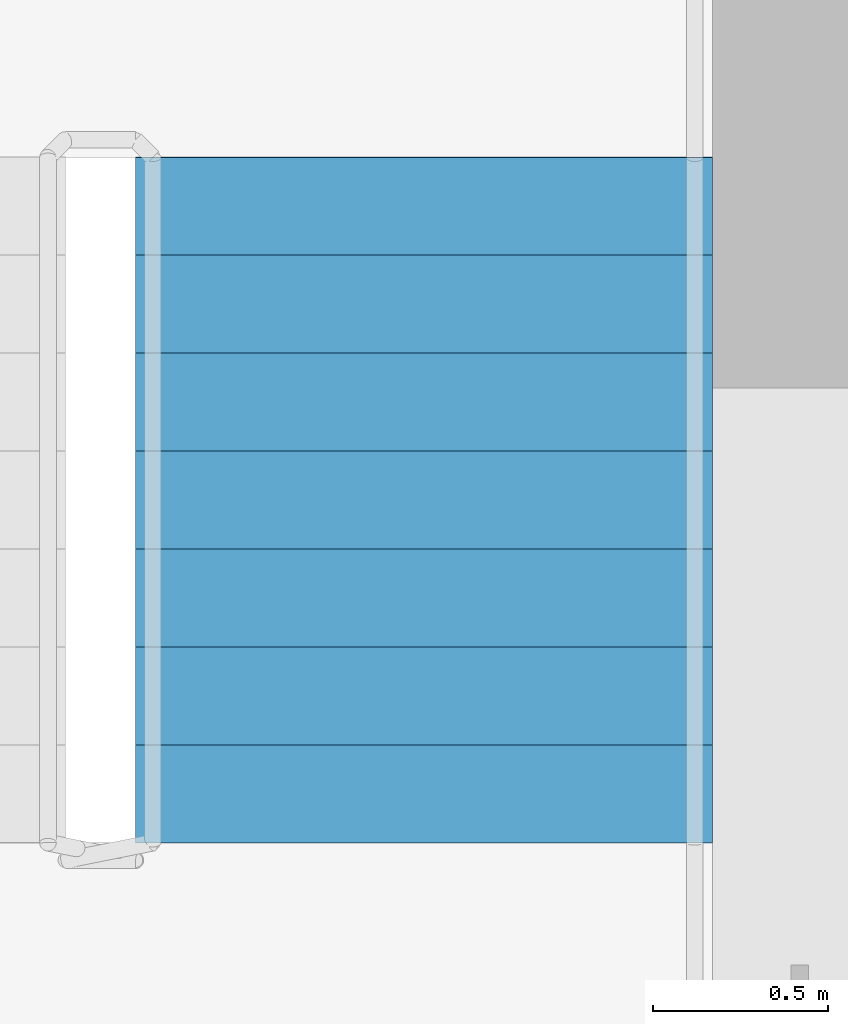
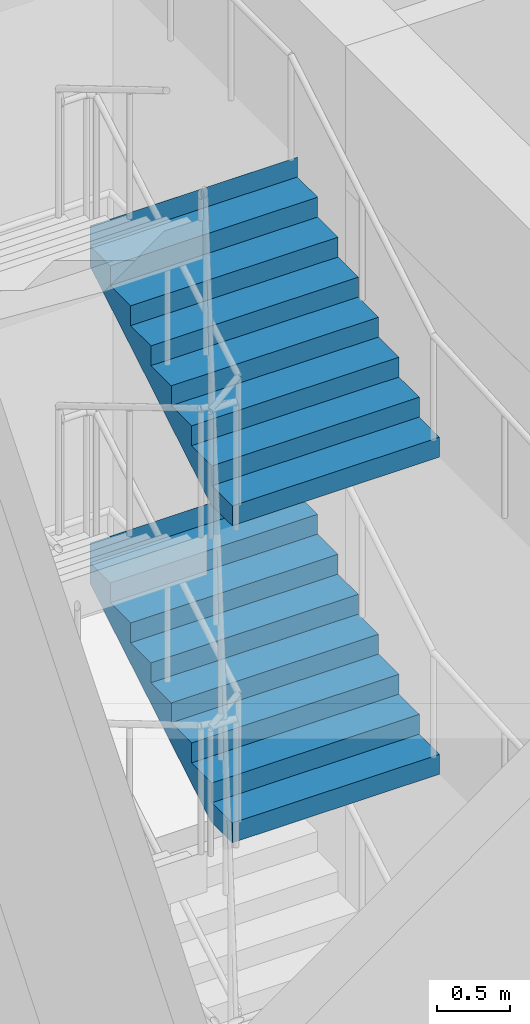
# One storey, part 8 of 12: 2 stair flights, 1 element without a shape of its own.
"""IFC4 building model written with IfcOpenShell, lengths in metres."""

from ifc_helpers import new_model, si_unit, direction, frame, origin, place, context, subcontext, project, spatial, polyline, outline, extrude, material, type_object, element, aggregate, save


model = new_model("IFC4")

# Units and contexts
model_context = context("Model", 3, precision=1e-05, world=origin(), true_north=direction((0.0, 1.0)))
body_context = subcontext(model_context, "Body", "Model", "MODEL_VIEW")
ifc_project = project(units=[si_unit("LENGTHUNIT", "METRE"), si_unit("AREAUNIT", "SQUARE_METRE"), si_unit("VOLUMEUNIT", "CUBIC_METRE"), si_unit("PLANEANGLEUNIT", "RADIAN"), si_unit("MASSUNIT", "GRAM", prefix="KILO")], contexts=[model_context])

# Site, building, storey
site_placement = place(None, origin())
site = spatial("IfcSite", under=ifc_project, at=site_placement, CompositionType="ELEMENT")
building_placement = place(site_placement, origin())
building = spatial("IfcBuilding", under=site, at=building_placement, Name="Tamorin Gate", CompositionType="ELEMENT")
storey_placement = place(building_placement, frame((0.0, 0.0, 166.199951171875)))
storey = spatial("IfcBuildingStorey", under=building, at=storey_placement, Name="L41", CompositionType="ELEMENT", Elevation=166.199951171875)

# Stair, stair flights
ifc_material = material(Name="Concrete C40/50", Category="concrete")
stair_type = type_object("IfcStairType", Name="Exit stair", PredefinedType="HALF_TURN_STAIR", material=ifc_material)
stair_placement = place(storey_placement, origin())
stair = element("IfcStair", 1, at=stair_placement, inside=storey, type_object=stair_type, Name="L41 stair ST2", PredefinedType="HALF_TURN_STAIR")
stair_flight_type = type_object("IfcStairFlightType", Name="Exit stair flight", PredefinedType="STRAIGHT", material=ifc_material)
stair_flight_1_placement = place(storey_placement, frame((33.675048828125, 77.0, 2.666748046875), z_axis=(0.0, 0.0, 1.0), x_axis=(0.0, 1.0, 0.0)))
stair_flight_1 = element("IfcStairFlight", 2, at=stair_flight_1_placement, type_object=stair_flight_type, Name="ST2 flight 3", NumberOfRisers=8, NumberOfTreads=7, PredefinedType="STRAIGHT", RiserHeight=0.166666667, TreadLength=0.28, context=body_context, shape_type="SweptSolid", body=[
    extrude(outline(polyline([(-0.00048828125, 0.0), (-0.00048828125, 0.001708984375), (-0.00048828125, 0.00341796875), (-0.00048828125, 0.0048828125), (-0.00048828125, 0.006591796875), (-0.00048828125, 0.00830078125), (-0.00048828125, 0.010009765625), (-0.00048828125, 0.011474609375), (-0.00048828125, 0.01318359375), (-0.00048828125, 0.014892578125), (-0.00048828125, 0.0166015625), (-0.00048828125, 0.01806640625), (-0.00048828125, 0.019775390625), (-0.00048828125, 0.021484375), (-0.00048828125, 0.023193359375), (-0.00048828125, 0.024658203125), (-0.00048828125, 0.0263671875), (-0.00048828125, 0.028076171875), (-0.00048828125, 0.02978515625), (-0.00048828125, 0.03125), (-0.00048828125, 0.032958984375), (-0.00048828125, 0.03466796875), (-0.00048828125, 0.036376953125), (-0.00048828125, 0.037841796875), (-0.00048828125, 0.03955078125), (-0.00048828125, 0.041259765625), (-0.00048828125, 0.04296875), (-0.00048828125, 0.04443359375), (-0.00048828125, 0.046142578125), (-0.00048828125, 0.0478515625), (-0.00048828125, 0.049560546875), (-0.00048828125, 0.05126953125), (-0.00048828125, 0.052734375), (-0.00048828125, 0.054443359375), (-0.00048828125, 0.05615234375), (-0.00048828125, 0.057861328125), (-0.00048828125, 0.059326171875), (-0.00048828125, 0.06103515625), (-0.00048828125, 0.062744140625), (-0.00048828125, 0.064453125), (-0.00048828125, 0.06591796875), (-0.00048828125, 0.067626953125), (-0.00048828125, 0.0693359375), (-0.00048828125, 0.071044921875), (-0.00048828125, 0.072509765625), (-0.00048828125, 0.07421875), (-0.00048828125, 0.075927734375), (-0.00048828125, 0.07763671875), (-0.00048828125, 0.0791015625), (-0.00048828125, 0.080810546875), (-0.00048828125, 0.08251953125), (-0.00048828125, 0.084228515625), (-0.00048828125, 0.085693359375), (-0.00048828125, 0.08740234375), (-0.00048828125, 0.089111328125), (-0.00048828125, 0.0908203125), (-0.00048828125, 0.092529296875), (-0.00048828125, 0.093994140625), (-0.00048828125, 0.095703125), (-0.00048828125, 0.097412109375), (-0.00048828125, 0.09912109375), (-0.00048828125, 0.1005859375), (-0.00048828125, 0.102294921875), (-0.00048828125, 0.10400390625), (-0.00048828125, 0.105712890625), (-0.00048828125, 0.107177734375), (-0.00048828125, 0.10888671875), (-0.00048828125, 0.110595703125), (-0.00048828125, 0.1123046875), (-0.00048828125, 0.11376953125), (-0.00048828125, 0.115478515625), (-0.00048828125, 0.1171875), (-0.00048828125, 0.118896484375), (-0.00048828125, 0.120361328125), (-0.00048828125, 0.1220703125), (-0.00048828125, 0.123779296875), (-0.00048828125, 0.12548828125), (-0.00048828125, 0.126953125), (-0.00048828125, 0.128662109375), (-0.00048828125, 0.13037109375), (-0.00048828125, 0.132080078125), (-0.00048828125, 0.133544921875), (-0.00048828125, 0.13525390625), (-0.00048828125, 0.136962890625), (-0.00048828125, 0.138671875), (-0.00048828125, 0.140380859375), (-0.00048828125, 0.141845703125), (-0.00048828125, 0.1435546875), (-0.00048828125, 0.145263671875), (-0.00048828125, 0.14697265625), (-0.00048828125, 0.1484375), (-0.00048828125, 0.150146484375), (-0.00048828125, 0.15185546875), (-0.00048828125, 0.153564453125), (-0.00048828125, 0.155029296875), (-0.00048828125, 0.15673828125), (-0.00048828125, 0.158447265625), (-0.00048828125, 0.16015625), (-0.00048828125, 0.16162109375), (-0.00048828125, 0.163330078125), (-0.00048828125, 0.1650390625), (-0.00048828125, 0.166748046875), (0.280029296875, 0.166748046875), (0.280029296875, 0.333251953125), (0.56005859375, 0.333251953125), (0.56005859375, 0.5), (0.840087890625, 0.5), (0.840087890625, 0.666748046875), (1.1201171875, 0.666748046875), (1.1201171875, 0.833251953125), (1.39990234375, 0.833251953125), (1.39990234375, 1.0), (1.679931640625, 1.0), (1.679931640625, 1.166748046875), (1.9599609375, 1.166748046875), (1.9599609375, 1.333251953125), (1.96044921875, 1.333251953125), (1.96044921875, 1.329833984375), (1.96044921875, 1.32666015625), (1.96044921875, 1.3232421875), (1.96044921875, 1.31982421875), (1.96044921875, 1.31640625), (1.96044921875, 1.31298828125), (1.96044921875, 1.3095703125), (1.96044921875, 1.306396484375), (1.96044921875, 1.302978515625), (1.96044921875, 1.299560546875), (1.96044921875, 1.296142578125), (1.96044921875, 1.292724609375), (1.96044921875, 1.289306640625), (1.96044921875, 1.2861328125), (1.96044921875, 1.28271484375), (1.96044921875, 1.279296875), (1.96044921875, 1.27587890625), (1.96044921875, 1.2724609375), (1.96044921875, 1.26904296875), (1.96044921875, 1.265869140625), (1.96044921875, 1.262451171875), (1.96044921875, 1.259033203125), (1.96044921875, 1.255615234375), (1.96044921875, 1.252197265625), (1.96044921875, 1.248779296875), (1.96044921875, 1.24560546875), (1.96044921875, 1.2421875), (1.96044921875, 1.23876953125), (1.96044921875, 1.2353515625), (1.96044921875, 1.23193359375), (1.96044921875, 1.228515625), (1.96044921875, 1.225341796875), (1.96044921875, 1.221923828125), (1.96044921875, 1.218505859375), (1.96044921875, 1.215087890625), (1.96044921875, 1.211669921875), (1.96044921875, 1.208251953125), (1.96044921875, 1.205078125), (1.96044921875, 1.20166015625), (1.96044921875, 1.1982421875), (1.96044921875, 1.19482421875), (1.96044921875, 1.19140625), (1.96044921875, 1.18798828125), (1.96044921875, 1.184814453125), (1.96044921875, 1.181396484375), (1.96044921875, 1.177978515625), (1.96044921875, 1.174560546875), (1.96044921875, 1.171142578125), (1.96044921875, 1.167724609375), (1.96044921875, 1.16455078125), (1.96044921875, 1.1611328125), (1.96044921875, 1.15771484375), (1.96044921875, 1.154296875), (1.96044921875, 1.15087890625), (1.96044921875, 1.1474609375), (1.96044921875, 1.144287109375), (1.96044921875, 1.140869140625), (1.96044921875, 1.137451171875), (1.96044921875, 1.134033203125), (1.96044921875, 1.130615234375), (1.96044921875, 1.127197265625), (1.96044921875, 1.1240234375), (1.96044921875, 1.12060546875), (1.96044921875, 1.1171875), (1.96044921875, 1.11376953125), (1.96044921875, 1.1103515625), (1.96044921875, 1.10693359375), (1.96044921875, 1.103759765625), (1.96044921875, 1.100341796875), (1.96044921875, 1.096923828125), (1.96044921875, 1.093505859375), (1.96044921875, 1.090087890625), (1.96044921875, 1.086669921875), (1.96044921875, 1.08349609375), (1.96044921875, 1.080078125), (1.96044921875, 1.07666015625), (1.96044921875, 1.0732421875), (1.96044921875, 1.06982421875), (1.96044921875, 1.06640625), (1.96044921875, 1.063232421875), (1.96044921875, 1.059814453125), (1.96044921875, 1.056396484375), (1.96044921875, 1.052978515625), (1.96044921875, 1.049560546875), (1.96044921875, 1.046142578125), (1.96044921875, 1.04296875), (1.96044921875, 1.03955078125), (1.96044921875, 1.0361328125), (1.96044921875, 1.03271484375), (1.96044921875, 1.029296875), (1.96044921875, 1.02587890625), (1.96044921875, 1.022705078125), (1.96044921875, 1.019287109375), (1.96044921875, 1.015869140625), (1.96044921875, 1.012451171875), (1.96044921875, 1.009033203125), (1.96044921875, 1.005615234375), (1.96044921875, 1.00244140625), (1.96044921875, 0.9990234375), (1.96044921875, 0.99560546875), (1.96044921875, 0.9921875), (1.9599609375, 0.9921875), (0.29296875, 0.0), (-0.00048828125, 0.0)])), frame((0.0, 0.824951171875, 0.0), z_axis=(0.0, -1.0, 0.0), x_axis=(1.0, 0.0, 0.0)), (0.0, 0.0, 1.0), 1.64990234375),
])
stair_flight_2_placement = place(storey_placement, frame((33.675048828125, 77.0, 5.33349609375), z_axis=(0.0, 0.0, 1.0), x_axis=(0.0, 1.0, 0.0)))
stair_flight_2 = element("IfcStairFlight", 3, at=stair_flight_2_placement, type_object=stair_flight_type, Name="ST2 flight 5", NumberOfRisers=8, NumberOfTreads=7, PredefinedType="STRAIGHT", RiserHeight=0.166666667, TreadLength=0.28, context=body_context, shape_type="SweptSolid", body=[
    extrude(outline(polyline([(-0.00048828125, 0.0), (-0.00048828125, 0.001708984375), (-0.00048828125, 0.00341796875), (-0.00048828125, 0.0048828125), (-0.00048828125, 0.006591796875), (-0.00048828125, 0.00830078125), (-0.00048828125, 0.010009765625), (-0.00048828125, 0.011474609375), (-0.00048828125, 0.01318359375), (-0.00048828125, 0.014892578125), (-0.00048828125, 0.0166015625), (-0.00048828125, 0.01806640625), (-0.00048828125, 0.019775390625), (-0.00048828125, 0.021484375), (-0.00048828125, 0.023193359375), (-0.00048828125, 0.024658203125), (-0.00048828125, 0.0263671875), (-0.00048828125, 0.028076171875), (-0.00048828125, 0.02978515625), (-0.00048828125, 0.03125), (-0.00048828125, 0.032958984375), (-0.00048828125, 0.03466796875), (-0.00048828125, 0.036376953125), (-0.00048828125, 0.037841796875), (-0.00048828125, 0.03955078125), (-0.00048828125, 0.041259765625), (-0.00048828125, 0.04296875), (-0.00048828125, 0.04443359375), (-0.00048828125, 0.046142578125), (-0.00048828125, 0.0478515625), (-0.00048828125, 0.049560546875), (-0.00048828125, 0.05126953125), (-0.00048828125, 0.052734375), (-0.00048828125, 0.054443359375), (-0.00048828125, 0.05615234375), (-0.00048828125, 0.057861328125), (-0.00048828125, 0.059326171875), (-0.00048828125, 0.06103515625), (-0.00048828125, 0.062744140625), (-0.00048828125, 0.064453125), (-0.00048828125, 0.06591796875), (-0.00048828125, 0.067626953125), (-0.00048828125, 0.0693359375), (-0.00048828125, 0.071044921875), (-0.00048828125, 0.072509765625), (-0.00048828125, 0.07421875), (-0.00048828125, 0.075927734375), (-0.00048828125, 0.07763671875), (-0.00048828125, 0.0791015625), (-0.00048828125, 0.080810546875), (-0.00048828125, 0.08251953125), (-0.00048828125, 0.084228515625), (-0.00048828125, 0.085693359375), (-0.00048828125, 0.08740234375), (-0.00048828125, 0.089111328125), (-0.00048828125, 0.0908203125), (-0.00048828125, 0.092529296875), (-0.00048828125, 0.093994140625), (-0.00048828125, 0.095703125), (-0.00048828125, 0.097412109375), (-0.00048828125, 0.09912109375), (-0.00048828125, 0.1005859375), (-0.00048828125, 0.102294921875), (-0.00048828125, 0.10400390625), (-0.00048828125, 0.105712890625), (-0.00048828125, 0.107177734375), (-0.00048828125, 0.10888671875), (-0.00048828125, 0.110595703125), (-0.00048828125, 0.1123046875), (-0.00048828125, 0.11376953125), (-0.00048828125, 0.115478515625), (-0.00048828125, 0.1171875), (-0.00048828125, 0.118896484375), (-0.00048828125, 0.120361328125), (-0.00048828125, 0.1220703125), (-0.00048828125, 0.123779296875), (-0.00048828125, 0.12548828125), (-0.00048828125, 0.126953125), (-0.00048828125, 0.128662109375), (-0.00048828125, 0.13037109375), (-0.00048828125, 0.132080078125), (-0.00048828125, 0.133544921875), (-0.00048828125, 0.13525390625), (-0.00048828125, 0.136962890625), (-0.00048828125, 0.138671875), (-0.00048828125, 0.140380859375), (-0.00048828125, 0.141845703125), (-0.00048828125, 0.1435546875), (-0.00048828125, 0.145263671875), (-0.00048828125, 0.14697265625), (-0.00048828125, 0.1484375), (-0.00048828125, 0.150146484375), (-0.00048828125, 0.15185546875), (-0.00048828125, 0.153564453125), (-0.00048828125, 0.155029296875), (-0.00048828125, 0.15673828125), (-0.00048828125, 0.158447265625), (-0.00048828125, 0.16015625), (-0.00048828125, 0.16162109375), (-0.00048828125, 0.163330078125), (-0.00048828125, 0.1650390625), (-0.00048828125, 0.166748046875), (0.280029296875, 0.166748046875), (0.280029296875, 0.333251953125), (0.56005859375, 0.333251953125), (0.56005859375, 0.5), (0.840087890625, 0.5), (0.840087890625, 0.666748046875), (1.1201171875, 0.666748046875), (1.1201171875, 0.833251953125), (1.39990234375, 0.833251953125), (1.39990234375, 1.0), (1.679931640625, 1.0), (1.679931640625, 1.166748046875), (1.9599609375, 1.166748046875), (1.9599609375, 1.333251953125), (1.96044921875, 1.333251953125), (1.96044921875, 1.329833984375), (1.96044921875, 1.32666015625), (1.96044921875, 1.3232421875), (1.96044921875, 1.31982421875), (1.96044921875, 1.31640625), (1.96044921875, 1.31298828125), (1.96044921875, 1.3095703125), (1.96044921875, 1.306396484375), (1.96044921875, 1.302978515625), (1.96044921875, 1.299560546875), (1.96044921875, 1.296142578125), (1.96044921875, 1.292724609375), (1.96044921875, 1.289306640625), (1.96044921875, 1.2861328125), (1.96044921875, 1.28271484375), (1.96044921875, 1.279296875), (1.96044921875, 1.27587890625), (1.96044921875, 1.2724609375), (1.96044921875, 1.26904296875), (1.96044921875, 1.265869140625), (1.96044921875, 1.262451171875), (1.96044921875, 1.259033203125), (1.96044921875, 1.255615234375), (1.96044921875, 1.252197265625), (1.96044921875, 1.248779296875), (1.96044921875, 1.24560546875), (1.96044921875, 1.2421875), (1.96044921875, 1.23876953125), (1.96044921875, 1.2353515625), (1.96044921875, 1.23193359375), (1.96044921875, 1.228515625), (1.96044921875, 1.225341796875), (1.96044921875, 1.221923828125), (1.96044921875, 1.218505859375), (1.96044921875, 1.215087890625), (1.96044921875, 1.211669921875), (1.96044921875, 1.208251953125), (1.96044921875, 1.205078125), (1.96044921875, 1.20166015625), (1.96044921875, 1.1982421875), (1.96044921875, 1.19482421875), (1.96044921875, 1.19140625), (1.96044921875, 1.18798828125), (1.96044921875, 1.184814453125), (1.96044921875, 1.181396484375), (1.96044921875, 1.177978515625), (1.96044921875, 1.174560546875), (1.96044921875, 1.171142578125), (1.96044921875, 1.167724609375), (1.96044921875, 1.16455078125), (1.96044921875, 1.1611328125), (1.96044921875, 1.15771484375), (1.96044921875, 1.154296875), (1.96044921875, 1.15087890625), (1.96044921875, 1.1474609375), (1.96044921875, 1.144287109375), (1.96044921875, 1.140869140625), (1.96044921875, 1.137451171875), (1.96044921875, 1.134033203125), (1.96044921875, 1.130615234375), (1.96044921875, 1.127197265625), (1.96044921875, 1.1240234375), (1.96044921875, 1.12060546875), (1.96044921875, 1.1171875), (1.96044921875, 1.11376953125), (1.96044921875, 1.1103515625), (1.96044921875, 1.10693359375), (1.96044921875, 1.103759765625), (1.96044921875, 1.100341796875), (1.96044921875, 1.096923828125), (1.96044921875, 1.093505859375), (1.96044921875, 1.090087890625), (1.96044921875, 1.086669921875), (1.96044921875, 1.08349609375), (1.96044921875, 1.080078125), (1.96044921875, 1.07666015625), (1.96044921875, 1.0732421875), (1.96044921875, 1.06982421875), (1.96044921875, 1.06640625), (1.96044921875, 1.063232421875), (1.96044921875, 1.059814453125), (1.96044921875, 1.056396484375), (1.96044921875, 1.052978515625), (1.96044921875, 1.049560546875), (1.96044921875, 1.046142578125), (1.96044921875, 1.04296875), (1.96044921875, 1.03955078125), (1.96044921875, 1.0361328125), (1.96044921875, 1.03271484375), (1.96044921875, 1.029296875), (1.96044921875, 1.02587890625), (1.96044921875, 1.022705078125), (1.96044921875, 1.019287109375), (1.96044921875, 1.015869140625), (1.96044921875, 1.012451171875), (1.96044921875, 1.009033203125), (1.96044921875, 1.005615234375), (1.96044921875, 1.00244140625), (1.96044921875, 0.9990234375), (1.96044921875, 0.99560546875), (1.96044921875, 0.9921875), (1.9599609375, 0.9921875), (0.29296875, 0.0), (-0.00048828125, 0.0)])), frame((0.0, 0.824951171875, 0.0), z_axis=(0.0, -1.0, 0.0), x_axis=(1.0, 0.0, 0.0)), (0.0, 0.0, 1.0), 1.64990234375),
])
aggregate(stair, [stair_flight_1, stair_flight_2])

save(model, "model.ifc")
